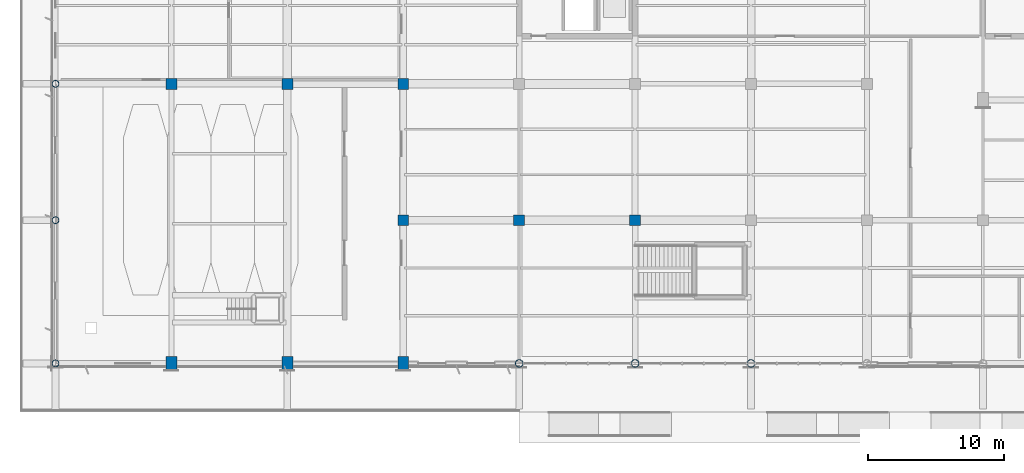
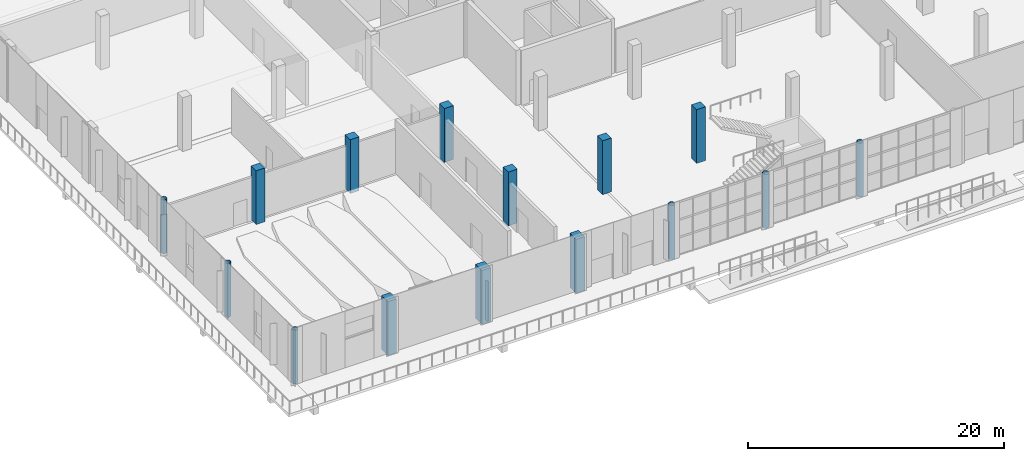
# One storey, part 1 of 90: 15 columns.
"""IFC4 building model written with IfcOpenShell, lengths in metres."""

import ifcopenshell
import ifcopenshell.guid

model = None  # the IFC model being written
_history = None  # IfcOwnerHistory: only IFC2X3 demands one
_inside = {}  # id of a spatial element -> (the spatial element, [elements in it])
_under = {}  # id of a project, library or spatial element -> (it, [spatial elements below it])
_declared = {}  # id of a project -> (the project, [libraries it declares])
_typed = {}  # id of a type object -> (the type object, [elements of that type])
_made_of = {}  # id of a material, layer set ... -> (it, [elements and type objects made of it])


def new_model(schema):
    """Start an empty IFC model of exactly this schema.

    Asked for "IFC4X3", IfcOpenShell would pick the latest addendum, in which some entities
    have other attributes; the version numbers below select the first issue.
    IFC2X3 requires an IfcOwnerHistory on every rooted entity: one is made here for all.
    """
    global model, _history
    if schema == "IFC4X3":
        model = ifcopenshell.file(schema_version=(4, 3, 0, 0))
    else:
        model = ifcopenshell.file(schema=schema)
    _inside.clear()
    _under.clear()
    _declared.clear()
    _typed.clear()
    _made_of.clear()
    _history = None
    if model.schema == "IFC2X3":
        org = make("IfcOrganization", Name="unknown")
        user = make(
            "IfcPersonAndOrganization",
            ThePerson=make("IfcPerson", FamilyName="unknown"),
            TheOrganization=org,
        )
        app = make(
            "IfcApplication",
            ApplicationDeveloper=org,
            Version="unknown",
            ApplicationFullName="unknown",
            ApplicationIdentifier="unknown",
        )
        _history = make(
            "IfcOwnerHistory",
            OwningUser=user,
            OwningApplication=app,
            ChangeAction="ADDED",
            CreationDate=0,
        )
    return model


def make(cls, **values):
    """One entity of the class cls with the attributes given. An attribute that is None is left unset."""
    return model.create_entity(
        cls, **{name: value for name, value in values.items() if value is not None}
    )


def rooted(cls, **values):
    """An entity with a GlobalId (a new one), such as an element, a storey or a relation."""
    return make(cls, GlobalId=ifcopenshell.guid.new(), OwnerHistory=_history, **values)


def si_unit(unit_type, name, prefix=None):
    """IfcSIUnit, for example si_unit("LENGTHUNIT", "METRE", prefix="MILLI")."""
    return make("IfcSIUnit", UnitType=unit_type, Prefix=prefix, Name=name)


def assignment(units):
    """IfcUnitAssignment: the units of a project."""
    return None if units is None else make("IfcUnitAssignment", Units=units)


def point(xyz):
    """IfcCartesianPoint."""
    return None if xyz is None else make("IfcCartesianPoint", Coordinates=xyz)


def direction(xyz):
    """IfcDirection."""
    return None if xyz is None else make("IfcDirection", DirectionRatios=xyz)


def frame(location, z_axis=None, x_axis=None):
    """IfcAxis2Placement3D, a coordinate frame: its origin and axes. An axis left out is left unset."""
    return make(
        "IfcAxis2Placement3D",
        Location=point(location),
        Axis=direction(z_axis),
        RefDirection=direction(x_axis),
    )


def frame_2d(location, x_axis=None):
    """IfcAxis2Placement2D, a coordinate frame in the plane: its origin and x axis."""
    return make(
        "IfcAxis2Placement2D", Location=point(location), RefDirection=direction(x_axis)
    )


def origin():
    """The frame at (0, 0, 0) with its axes left unset."""
    return frame((0.0, 0.0, 0.0))


def origin_2d():
    """The frame at (0, 0) in the plane with its x axis left unset."""
    return frame_2d((0.0, 0.0))


def place(relative_to, where):
    """IfcLocalPlacement: puts the frame where relative to a parent placement (None: the world)."""
    return make(
        "IfcLocalPlacement", PlacementRelTo=relative_to, RelativePlacement=where
    )


def context(
    kind, dimensions, precision=None, world=None, true_north=None, identifier=None
):
    """IfcGeometricRepresentationContext, for example the 3D "Model" context."""
    return make(
        "IfcGeometricRepresentationContext",
        ContextIdentifier=identifier,
        ContextType=kind,
        CoordinateSpaceDimension=dimensions,
        Precision=precision,
        WorldCoordinateSystem=world,
        TrueNorth=true_north,
    )


def subcontext(parent, identifier, kind, view, scale=None):
    """IfcGeometricRepresentationSubContext, for example "Body" below "Model"."""
    return make(
        "IfcGeometricRepresentationSubContext",
        ContextIdentifier=identifier,
        ContextType=kind,
        ParentContext=parent,
        TargetScale=scale,
        TargetView=view,
    )


def project(units=None, contexts=None):
    """IfcProject with its units and contexts."""
    return rooted(
        "IfcProject",
        Name="project",
        RepresentationContexts=contexts,
        UnitsInContext=assignment(units),
    )


def spatial(cls, under=None, at=None, **own):
    """A site, building, storey or space (cls), placed at a placement, below another one or the project."""
    s = rooted(cls, ObjectPlacement=at, **own)
    if under is not None:
        _under.setdefault(under.id(), (under, []))[1].append(s)
    return s


def profile(cls, at=None, kind="AREA", **sizes):
    """A parametric profile (cls). Its sizes go by their IFC names, for example OverallWidth=200.0."""
    return make(cls, ProfileType=kind, Position=at, **sizes)


def rectangle(**sizes):
    """IfcRectangleProfileDef."""
    return profile("IfcRectangleProfileDef", **sizes)


def hollow_circle(**sizes):
    """IfcCircleHollowProfileDef."""
    return profile("IfcCircleHollowProfileDef", **sizes)


def extrude(swept, where, along, depth):
    """IfcExtrudedAreaSolid: the profile swept, set in the frame where, extruded along a direction by depth."""
    return make(
        "IfcExtrudedAreaSolid",
        SweptArea=swept,
        Position=where,
        ExtrudedDirection=direction(along),
        Depth=depth,
    )


def shape(context_of_items, identifier, shape_type, items):
    """IfcShapeRepresentation: the items that make up one representation, for example the "Body"."""
    return make(
        "IfcShapeRepresentation",
        ContextOfItems=context_of_items,
        RepresentationIdentifier=identifier,
        RepresentationType=shape_type,
        Items=items,
    )


def material(Name=None, Category=None):
    """IfcMaterial."""
    return make("IfcMaterial", Name=Name, Category=Category)


def material_profile(
    of_material, cross_section, Name=None, Category=None, Priority=None
):
    """IfcMaterialProfile: a cross section and its material."""
    return make(
        "IfcMaterialProfile",
        Name=Name,
        Material=of_material,
        Profile=cross_section,
        Priority=Priority,
        Category=Category,
    )


def profile_set(profiles, Name=None, composite=None):
    """IfcMaterialProfileSet."""
    return make(
        "IfcMaterialProfileSet",
        Name=Name,
        MaterialProfiles=profiles,
        CompositeProfile=composite,
    )


def made_of(thing, what):
    """Note that an element or type object is made of a material, layer set ...; save() writes the relation."""
    if what is not None:
        _made_of.setdefault(what.id(), (what, []))[1].append(thing)
    return thing


def type_object(cls, material=None, **own):
    """A type object (cls), such as IfcWallType, which elements share."""
    return made_of(rooted(cls, **own), material)


def element(
    cls,
    number,
    at=None,
    inside=None,
    cuts=None,
    type_object=None,
    material=None,
    context=None,
    identifier="Body",
    shape_type=None,
    held_by="IfcProductDefinitionShape",
    body=None,
    shapes=None,
    **own,
):
    """One element of the class cls, such as IfcWall. Its Tag is "e" and its number.

    at: its placement. inside: the storey or other place that contains it. cuts: it is an
    opening in that element (IfcRelVoidsElement). A single representation is given by context,
    identifier, shape_type and body (its items); several are given by shapes. held_by: the class
    of the entity that holds the representations. save() writes the other relations.
    """
    e = rooted(cls, Tag="e%d" % number, ObjectPlacement=at, **own)
    if body is not None:
        shapes = [shape(context, identifier, shape_type, body)]
    if shapes is not None:
        e.Representation = make(held_by, Representations=shapes)
    if inside is not None:
        _inside.setdefault(inside.id(), (inside, []))[1].append(e)
    if cuts is not None:
        rooted(
            "IfcRelVoidsElement", RelatingBuildingElement=cuts, RelatedOpeningElement=e
        )
    if type_object is not None:
        _typed.setdefault(type_object.id(), (type_object, []))[1].append(e)
    return made_of(e, material)


def aggregate(whole, parts):
    """IfcRelAggregates: a whole, such as a stair, and the parts it consists of."""
    return rooted("IfcRelAggregates", RelatingObject=whole, RelatedObjects=parts)


def save(model, path):
    """Write the relations noted so far, then the file.

    IfcRelAggregates (storeys below a building ...), IfcRelContainedInSpatialStructure (elements
    in a storey), IfcRelDefinesByType, IfcRelAssociatesMaterial and IfcRelDeclares: one each for
    every whole, place, type object, material and project.
    """
    for whole, parts in _under.values():
        aggregate(whole, parts)
    for where, things in _inside.values():
        rooted(
            "IfcRelContainedInSpatialStructure",
            RelatedElements=things,
            RelatingStructure=where,
        )
    for kind, things in _typed.values():
        rooted("IfcRelDefinesByType", RelatedObjects=things, RelatingType=kind)
    for what, things in _made_of.values():
        rooted("IfcRelAssociatesMaterial", RelatedObjects=things, RelatingMaterial=what)
    for by, libraries in _declared.values():
        rooted("IfcRelDeclares", RelatingContext=by, RelatedDefinitions=libraries)
    model.write(path)


model = new_model("IFC4")

# Units and contexts
model_context = context("Model", 3, precision=1e-05, world=origin(), true_north=direction((0.0, 1.0)))
body_context = subcontext(model_context, "Body", "Model", "MODEL_VIEW")
ifc_project = project(units=[si_unit("LENGTHUNIT", "METRE"), si_unit("AREAUNIT", "SQUARE_METRE"), si_unit("VOLUMEUNIT", "CUBIC_METRE"), si_unit("PLANEANGLEUNIT", "RADIAN"), si_unit("MASSUNIT", "GRAM", prefix="KILO")], contexts=[model_context])

# Site, building, storey
site_placement = place(None, origin())
site = spatial("IfcSite", under=ifc_project, at=site_placement, CompositionType="ELEMENT")
building_placement = place(site_placement, origin())
building = spatial("IfcBuilding", under=site, at=building_placement, Name="Solvikara Media Centre", CompositionType="ELEMENT")
storey_placement = place(building_placement, origin())
storey = spatial("IfcBuildingStorey", under=building, at=storey_placement, Name="L00", CompositionType="ELEMENT", Elevation=0.0)

# Columns
ifc_material_1 = material(Name="Concrete fc' 45 MPa (C45/55)", Category="concrete")
ifc_material_profile_1 = material_profile(ifc_material_1, rectangle(XDim=0.800048828125, YDim=0.800048828125, at=origin_2d()), Name="RC 800x800")
ifc_profile_set_1 = profile_set([ifc_material_profile_1], Name="Concrete fc' 45 MPa (C45/55)")
column_type_1 = type_object("IfcColumnType", Name="CL-05", PredefinedType="COLUMN", material=ifc_profile_set_1)
for number, where, z_axis, x_axis, name in (
    (1, (8.5, 20.5, 0.0), (0.0, 0.0, 1.0), (1.0, 0.0, 0.0), "C-L00-0085-0205"),
    (2, (17.0, 20.5, 0.0), (0.0, 0.0, 1.0), (1.0, 0.0, 0.0), "C-L00-0170-0205"),
    (3, (25.5, 10.5, 0.0), (0.0, 0.0, 1.0), (1.0, 0.0, 0.0), "C-L00-0255-0105"),
    (4, (25.5, 20.5, 0.0), (0.0, 0.0, 1.0), (1.0, 0.0, 0.0), "C-L00-0255-0205"),
    (5, (34.0, 10.5, 0.0), (0.0, 0.0, 1.0), (1.0, 0.0, 0.0), "C-L00-0340-0105"),
    (6, (42.5, 10.5, 0.0), (0.0, 0.0, 1.0), (1.0, 0.0, 0.0), "C-L00-0425-0105"),
):
    element("IfcColumn", number, at=place(storey_placement, frame(where, z_axis=z_axis, x_axis=x_axis)), inside=storey, type_object=column_type_1, Name=name, PredefinedType="COLUMN", context=body_context, shape_type="SweptSolid", body=[
        extrude(rectangle(XDim=0.800048828125, YDim=0.800048828125, at=origin_2d()), origin(), (0.0, 0.0, 1.0), 5.139892578125),
    ])
ifc_material_profile_2 = material_profile(ifc_material_1, rectangle(XDim=0.800048828125, YDim=1.0, at=origin_2d()), Name="RC 800x1000")
ifc_profile_set_2 = profile_set([ifc_material_profile_2], Name="Concrete fc' 45 MPa (C45/55)")
column_type_2 = type_object("IfcColumnType", Name="CL-16", PredefinedType="COLUMN", material=ifc_profile_set_2)
for number, where, z_axis, x_axis, name in (
    (7, (8.5, 0.0, 0.0), (0.0, 0.0, 1.0), (1.0, 0.0, 0.0), "C-L00-0085-0000"),
    (8, (17.0, 0.0, 0.0), (0.0, 0.0, 1.0), (1.0, 0.0, 0.0), "C-L00-0170-0000"),
    (9, (25.5, 0.0, 0.0), (0.0, 0.0, 1.0), (1.0, 0.0, 0.0), "C-L00-0255-0000"),
):
    element("IfcColumn", number, at=place(storey_placement, frame(where, z_axis=z_axis, x_axis=x_axis)), inside=storey, type_object=column_type_2, Name=name, PredefinedType="COLUMN", context=body_context, shape_type="SweptSolid", body=[
        extrude(rectangle(XDim=0.800048828125, YDim=1.0, at=origin_2d()), origin(), (0.0, 0.0, 1.0), 5.139892578125),
    ])
ifc_material_2 = material(Name="Steel S355JR", Category="steel")
ifc_material_profile_3 = material_profile(ifc_material_2, hollow_circle(Radius=0.279541015625, WallThickness=0.01611328125, at=origin_2d()), Name="CHS 559x16")
ifc_profile_set_3 = profile_set([ifc_material_profile_3], Name="Steel S355JR")
column_type_3 = type_object("IfcColumnType", Name="CL-24", PredefinedType="COLUMN", material=ifc_profile_set_3)
for number, where, z_axis, x_axis, name in (
    (10, (34.0, 0.0, 0.0), (0.0, 0.0, 1.0), (1.0, 0.0, 0.0), "C-L00-0340-0000"),
    (11, (42.5, 0.0, 0.0), (0.0, 0.0, 1.0), (1.0, 0.0, 0.0), "C-L00-0425-0000"),
    (12, (51.0, 0.0, 0.0), (0.0, 0.0, 1.0), (1.0, 0.0, 0.0), "C-L00-0510-0000"),
):
    element("IfcColumn", number, at=place(storey_placement, frame(where, z_axis=z_axis, x_axis=x_axis)), inside=storey, type_object=column_type_3, Name=name, PredefinedType="COLUMN", context=body_context, shape_type="SweptSolid", body=[
        extrude(hollow_circle(Radius=0.279541015625, WallThickness=0.01611328125, at=origin_2d()), origin(), (0.0, 0.0, 1.0), 5.139892578125),
    ])
ifc_material_profile_4 = material_profile(ifc_material_2, hollow_circle(Radius=0.25390625, WallThickness=0.01611328125, at=origin_2d()), Name="CHS 508x16")
ifc_profile_set_4 = profile_set([ifc_material_profile_4], Name="Steel S355JR")
column_type_4 = type_object("IfcColumnType", Name="CL-25", PredefinedType="COLUMN", material=ifc_profile_set_4)
for number, where, z_axis, x_axis, name in (
    (13, (0.0, 0.0, 0.0), (0.0, 0.0, 1.0), (1.0, 0.0, 0.0), "C-L00-0000-0000"),
    (14, (0.0, 10.5, 0.0), (0.0, 0.0, 1.0), (1.0, 0.0, 0.0), "C-L00-0000-0105"),
    (15, (0.0, 20.5, 0.0), (0.0, 0.0, 1.0), (1.0, 0.0, 0.0), "C-L00-0000-0205"),
):
    element("IfcColumn", number, at=place(storey_placement, frame(where, z_axis=z_axis, x_axis=x_axis)), inside=storey, type_object=column_type_4, Name=name, PredefinedType="COLUMN", context=body_context, shape_type="SweptSolid", body=[
        extrude(hollow_circle(Radius=0.25390625, WallThickness=0.01611328125, at=origin_2d()), origin(), (0.0, 0.0, 1.0), 5.139892578125),
    ])

save(model, "model.ifc")
